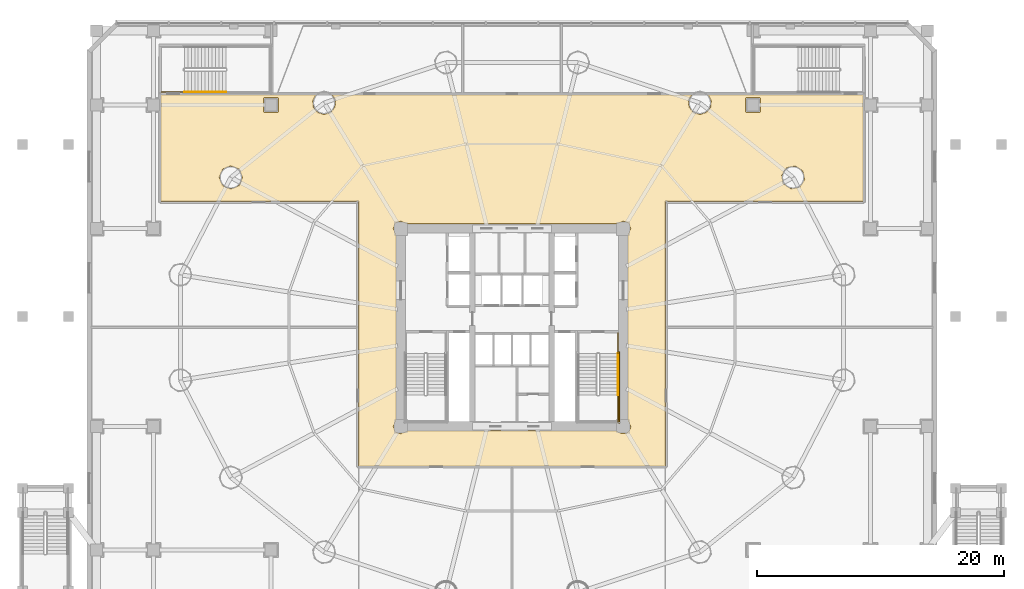
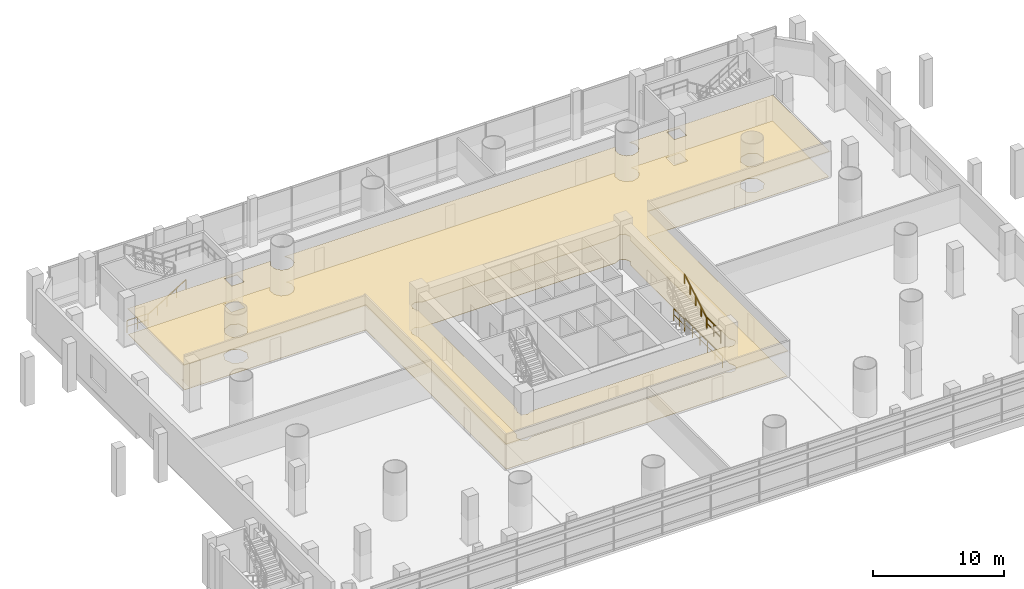
# One storey, part 30 of 36: 6 railings, 2 coverings.
"""IFC4 building model written with IfcOpenShell, lengths in metres."""

from ifc_helpers import new_model, si_unit, direction, frame, origin, origin_2d, place, context, subcontext, project, spatial, polyline, rectangle, outline, extrude, material, layer, layer_set, type_object, element, save


model = new_model("IFC4")

# Units and contexts
model_context = context("Model", 3, precision=1e-05, world=origin(), true_north=direction((-0.2419218956, 0.970295726276)))
body_context = subcontext(model_context, "Body", "Model", "MODEL_VIEW")
ifc_project = project(units=[si_unit("LENGTHUNIT", "METRE"), si_unit("AREAUNIT", "SQUARE_METRE"), si_unit("VOLUMEUNIT", "CUBIC_METRE"), si_unit("PLANEANGLEUNIT", "RADIAN"), si_unit("MASSUNIT", "GRAM", prefix="KILO")], contexts=[model_context])

# Site, building, storey
site_placement = place(None, origin())
site = spatial("IfcSite", under=ifc_project, at=site_placement, CompositionType="ELEMENT")
building_placement = place(site_placement, origin())
building = spatial("IfcBuilding", under=site, at=building_placement, Name="Cobrevalo Terracotta Tower", CompositionType="ELEMENT")
storey_placement = place(building_placement, frame((0.0, 0.0, 14.39990234375)))
storey = spatial("IfcBuildingStorey", under=building, at=storey_placement, Name="L03", CompositionType="ELEMENT", Elevation=14.39990234375)

# Coverings
ifc_material_1 = material(Name="Honed terracotta and granite tile", Category="masonry")
ifc_layer_1 = layer(ifc_material_1, 0.034912109375)
ifc_layer_set_1 = layer_set([ifc_layer_1], Name="Honed terracotta and granite tile")
covering_type_1 = type_object("IfcCoveringType", Name="Honed Terracotta & Granite Interior Flooring 35", PredefinedType="FLOORING", material=ifc_layer_set_1)
covering_1_placement = place(storey_placement, origin())
element("IfcCovering", 1, at=covering_1_placement, inside=storey, type_object=covering_type_1, Name="L03 Podium Gallery Concourse floor finish", PredefinedType="FLOORING", context=body_context, shape_type="SweptSolid", body=[
    extrude(outline(polyline([(9.6201171875, 45.580078125), (22.088134765625, 45.60009765625), (21.863525390625, 45.155029296875), (21.918212890625, 44.60009765625), (22.271728515625, 44.16943359375), (22.80517578125, 44.007568359375), (23.338623046875, 44.16943359375), (23.692138671875, 44.60009765625), (23.746826171875, 45.155029296875), (23.522216796875, 45.60009765625), (52.477783203125, 45.60009765625), (52.253173828125, 45.155029296875), (52.307861328125, 44.60009765625), (52.661376953125, 44.16943359375), (53.19482421875, 44.007568359375), (53.728271484375, 44.16943359375), (54.081787109375, 44.60009765625), (54.136474609375, 45.155029296875), (53.911865234375, 45.60009765625), (66.3798828125, 45.580078125), (66.3798828125, 37.02001953125), (50.3798828125, 37.02001953125), (50.3798828125, 15.6201171875), (25.6201171875, 15.6201171875), (25.6201171875, 37.02001953125), (9.6201171875, 37.02001953125), (9.6201171875, 45.580078125)]), holes=[polyline([(61.274169921875, 38.140869140625), (61.682373046875, 38.751953125), (61.5390625, 39.47265625), (60.927978515625, 39.880859375), (60.207275390625, 39.737548828125), (59.799072265625, 39.12646484375), (59.9423828125, 38.40576171875), (60.553466796875, 37.99755859375), (61.274169921875, 38.140869140625)]), polyline([(56.89990234375, 45.39990234375), (56.89990234375, 44.199951171875), (58.10009765625, 44.199951171875), (58.10009765625, 45.39990234375), (56.89990234375, 45.39990234375)]), polyline([(46.5322265625, 18.405029296875), (46.7626953125, 18.226806640625), (47.2373046875, 18.226806640625), (47.5732421875, 18.5625), (47.620361328125, 18.800048828125), (47.39501953125, 19.267822265625), (47.39501953125, 34.33203125), (47.620361328125, 34.800048828125), (47.438720703125, 35.23876953125), (47.0, 35.42041015625), (46.5322265625, 35.195068359375), (29.4677734375, 35.195068359375), (29.0, 35.42041015625), (28.561279296875, 35.23876953125), (28.379638671875, 34.800048828125), (28.60498046875, 34.33203125), (28.60498046875, 19.267822265625), (28.379638671875, 18.800048828125), (28.561279296875, 18.361328125), (29.0, 18.1796875), (29.4677734375, 18.405029296875), (46.5322265625, 18.405029296875)]), polyline([(17.89990234375, 44.199951171875), (19.10009765625, 44.199951171875), (19.10009765625, 45.39990234375), (17.89990234375, 45.39990234375), (17.89990234375, 44.199951171875)]), polyline([(15.938232421875, 38.26025390625), (16.219482421875, 38.939208984375), (15.938232421875, 39.6181640625), (15.25927734375, 39.8994140625), (14.580322265625, 39.6181640625), (14.29931640625, 38.939208984375), (14.580322265625, 38.26025390625), (15.25927734375, 37.97900390625), (15.938232421875, 38.26025390625)])]), origin(), (0.0, 0.0, 1.0), 0.030029296875),
])
ifc_material_2 = material(Name="Acoustic perforated gypsum ceiling", Category="gypsum")
ifc_layer_2 = layer(ifc_material_2, 0.050048828125)
ifc_layer_set_2 = layer_set([ifc_layer_2], Name="Acoustic perforated gypsum ceiling")
covering_type_2 = type_object("IfcCoveringType", Name="Perforated Acoustic Gypsum Ceiling 50", PredefinedType="CEILING", material=ifc_layer_set_2)
covering_2_placement = place(storey_placement, frame((0.0, 0.0, 2.360107421875)))
element("IfcCovering", 2, at=covering_2_placement, inside=storey, type_object=covering_type_2, Name="L03 Podium Gallery Concourse acoustic ceiling", PredefinedType="CEILING", context=body_context, shape_type="SweptSolid", body=[
    extrude(outline(polyline([(9.574951171875, 45.625), (22.183349609375, 45.64501953125), (21.907958984375, 45.14599609375), (21.9599609375, 44.617431640625), (22.296875, 44.20703125), (22.80517578125, 44.052734375), (23.3134765625, 44.20703125), (23.650390625, 44.617431640625), (23.702392578125, 45.14599609375), (23.427001953125, 45.64501953125), (52.572998046875, 45.64501953125), (52.297607421875, 45.14599609375), (52.349609375, 44.617431640625), (52.6865234375, 44.20703125), (53.19482421875, 44.052734375), (53.703125, 44.20703125), (54.0400390625, 44.617431640625), (54.092041015625, 45.14599609375), (53.816650390625, 45.64501953125), (66.425048828125, 45.625), (66.425048828125, 36.97509765625), (50.425048828125, 36.97509765625), (50.425048828125, 15.574951171875), (25.574951171875, 15.574951171875), (25.574951171875, 36.97509765625), (9.574951171875, 36.97509765625), (9.574951171875, 45.625)]), holes=[polyline([(61.2490234375, 38.178466796875), (61.637939453125, 38.7607421875), (61.50146484375, 39.447509765625), (60.919189453125, 39.83642578125), (60.232421875, 39.699951171875), (59.843505859375, 39.11767578125), (59.97998046875, 38.430908203125), (60.562255859375, 38.0419921875), (61.2490234375, 38.178466796875)]), polyline([(56.945068359375, 45.35498046875), (56.945068359375, 44.2451171875), (58.054931640625, 44.2451171875), (58.054931640625, 45.35498046875), (56.945068359375, 45.35498046875)]), polyline([(46.55615234375, 18.449951171875), (46.780029296875, 18.269287109375), (47.219970703125, 18.269287109375), (47.53076171875, 18.580078125), (47.574462890625, 18.800048828125), (47.35009765625, 19.243896484375), (47.35009765625, 34.356201171875), (47.574462890625, 34.800048828125), (47.40625, 35.206298828125), (47.0, 35.37451171875), (46.55615234375, 35.14990234375), (29.44384765625, 35.14990234375), (29.0, 35.37451171875), (28.59375, 35.206298828125), (28.425537109375, 34.800048828125), (28.64990234375, 34.356201171875), (28.64990234375, 19.243896484375), (28.425537109375, 18.800048828125), (28.59375, 18.393798828125), (29.0, 18.2255859375), (29.44384765625, 18.449951171875), (46.55615234375, 18.449951171875)]), polyline([(17.945068359375, 44.2451171875), (19.054931640625, 44.2451171875), (19.054931640625, 45.35498046875), (17.945068359375, 45.35498046875), (17.945068359375, 44.2451171875)]), polyline([(15.90625, 38.292236328125), (16.174072265625, 38.939208984375), (15.90625, 39.586181640625), (15.25927734375, 39.85400390625), (14.6123046875, 39.586181640625), (14.344482421875, 38.939208984375), (14.6123046875, 38.292236328125), (15.25927734375, 38.0244140625), (15.90625, 38.292236328125)])]), origin(), (0.0, 0.0, 1.0), 0.050048828125),
])

# Railings
ifc_material_3 = material(Name="Brushed stainless steel", Category="steel")
railing_type_1 = type_object("IfcRailingType", Name="Stainless Steel Stair Handrail 900", PredefinedType="HANDRAIL", material=ifc_material_3)
railing_1_placement = place(storey_placement, frame((46.574951171875, 21.340087890625, 2.423095703125)))
element("IfcRailing", 3, at=railing_1_placement, inside=storey, type_object=railing_type_1, Name="L03 ST-2 stair handrail 2", PredefinedType="HANDRAIL", context=body_context, shape_type="SweptSolid", body=[
    extrude(rectangle(XDim=0.048095703125, YDim=0.048095703125, at=origin_2d()), frame((0.0, 0.0, 0.8759765625), z_axis=(0.0, 0.850606129759, 0.525803396734), x_axis=(-1.0, 0.0, 0.0)), (0.0, 0.0, 1.0), 3.949951171875),
    extrude(rectangle(XDim=0.0419921875, YDim=0.0419921875, at=origin_2d()), origin(), (0.0, 0.0, 1.0), 0.851806640625),
    extrude(rectangle(XDim=0.0419921875, YDim=0.0419921875, at=origin_2d()), frame((0.0, 0.83984375, 0.519287109375)), (0.0, 0.0, 1.0), 0.851806640625),
    extrude(rectangle(XDim=0.0419921875, YDim=0.0419921875, at=origin_2d()), frame((0.0, 1.679931640625, 1.03857421875)), (0.0, 0.0, 1.0), 0.851806640625),
    extrude(rectangle(XDim=0.0419921875, YDim=0.0419921875, at=origin_2d()), frame((0.0, 2.52001953125, 1.5576171875)), (0.0, 0.0, 1.0), 0.851806640625),
    extrude(rectangle(XDim=0.0419921875, YDim=0.0419921875, at=origin_2d()), frame((0.0, 3.35986328125, 2.076904296875)), (0.0, 0.0, 1.0), 0.851806640625),
])
railing_2_placement = place(storey_placement, frame((11.5, 45.85009765625, 0.173095703125)))
element("IfcRailing", 4, at=railing_2_placement, inside=storey, type_object=railing_type_1, Name="L03 ST-P1 stair handrail 1", PredefinedType="HANDRAIL", context=body_context, shape_type="SweptSolid", body=[
    extrude(rectangle(XDim=0.048095703125, YDim=0.048095703125, at=origin_2d()), frame((0.0, 0.0, 0.8759765625), z_axis=(0.850623216509, 0.0, 0.525775754039), x_axis=(0.0, 1.0, 0.0)), (0.0, 0.0, 1.0), 3.9501953125),
    extrude(rectangle(XDim=0.0419921875, YDim=0.0419921875, at=origin_2d()), origin(), (0.0, 0.0, 1.0), 0.851806640625),
    extrude(rectangle(XDim=0.0419921875, YDim=0.0419921875, at=origin_2d()), frame((0.840087890625, 0.0, 0.519287109375)), (0.0, 0.0, 1.0), 0.851806640625),
    extrude(rectangle(XDim=0.0419921875, YDim=0.0419921875, at=origin_2d()), frame((1.68017578125, 0.0, 1.03857421875)), (0.0, 0.0, 1.0), 0.851806640625),
    extrude(rectangle(XDim=0.0419921875, YDim=0.0419921875, at=origin_2d()), frame((2.52001953125, 0.0, 1.5576171875)), (0.0, 0.0, 1.0), 0.851806640625),
    extrude(rectangle(XDim=0.0419921875, YDim=0.0419921875, at=origin_2d()), frame((3.360107421875, 0.0, 2.076904296875)), (0.0, 0.0, 1.0), 0.851806640625),
])
ifc_material_4 = material(Name="Painted galvanized steel", Category="steel")
railing_type_2 = type_object("IfcRailingType", Name="Stair Well Guard Balustrade 1150", PredefinedType="GUARDRAIL", material=ifc_material_4)
railing_3_placement = place(storey_placement, frame((46.574951171875, 21.340087890625, 2.25)))
element("IfcRailing", 5, at=railing_3_placement, inside=storey, type_object=railing_type_2, Name="L03 ST-2 stair guard 4", PredefinedType="GUARDRAIL", context=body_context, shape_type="SweptSolid", body=[
    extrude(rectangle(XDim=0.048095703125, YDim=0.048095703125, at=origin_2d()), frame((0.0, 0.0, 1.1259765625), z_axis=(0.0, -1.0, 0.0), x_axis=(1.0, 0.0, 0.0)), (0.0, 0.0, 1.0), 2.1650390625),
    extrude(rectangle(XDim=0.048095703125, YDim=0.048095703125, at=origin_2d()), frame((0.0, 0.0, 0.574951171875), z_axis=(0.0, -1.0, 0.0), x_axis=(1.0, 0.0, 0.0)), (0.0, 0.0, 1.0), 2.1650390625),
    extrude(rectangle(XDim=0.0419921875, YDim=0.0419921875, at=origin_2d()), origin(), (0.0, 0.0, 1.0), 1.101806640625),
    extrude(rectangle(XDim=0.0419921875, YDim=0.0419921875, at=origin_2d()), frame((0.0, -1.08251953125, 0.0)), (0.0, 0.0, 1.0), 1.101806640625),
    extrude(rectangle(XDim=0.0419921875, YDim=0.0419921875, at=origin_2d()), frame((0.0, -2.1650390625, 0.0)), (0.0, 0.0, 1.0), 1.101806640625),
])
railing_4_placement = place(storey_placement, frame((46.574951171875, 26.35009765625, 0.0)))
element("IfcRailing", 6, at=railing_4_placement, inside=storey, type_object=railing_type_2, Name="L03 ST-2 stair guard 9", PredefinedType="GUARDRAIL", context=body_context, shape_type="SweptSolid", body=[
    extrude(rectangle(XDim=0.048095703125, YDim=0.048095703125, at=origin_2d()), frame((0.0, 0.0, 1.1259765625), z_axis=(0.0, -1.0, 0.0), x_axis=(1.0, 0.0, 0.0)), (0.0, 0.0, 1.0), 1.650146484375),
    extrude(rectangle(XDim=0.048095703125, YDim=0.048095703125, at=origin_2d()), frame((0.0, 0.0, 0.574951171875), z_axis=(0.0, -1.0, 0.0), x_axis=(1.0, 0.0, 0.0)), (0.0, 0.0, 1.0), 1.650146484375),
    extrude(rectangle(XDim=0.0419921875, YDim=0.0419921875, at=origin_2d()), origin(), (0.0, 0.0, 1.0), 1.101806640625),
    extrude(rectangle(XDim=0.0419921875, YDim=0.0419921875, at=origin_2d()), frame((0.0, -0.8251953125, 0.0)), (0.0, 0.0, 1.0), 1.101806640625),
    extrude(rectangle(XDim=0.0419921875, YDim=0.0419921875, at=origin_2d()), frame((0.0, -1.650146484375, 0.0)), (0.0, 0.0, 1.0), 1.101806640625),
])
railing_5_placement = place(storey_placement, frame((46.675048828125, 24.800048828125, 0.0)))
element("IfcRailing", 7, at=railing_5_placement, inside=storey, type_object=railing_type_2, Name="L03 ST-2 stair guard 11", PredefinedType="GUARDRAIL", context=body_context, shape_type="SweptSolid", body=[
    extrude(rectangle(XDim=0.048095703125, YDim=0.048095703125, at=origin_2d()), frame((0.0, 0.0, 1.1259765625), z_axis=(0.0, -1.0, 0.0), x_axis=(1.0, 0.0, 0.0)), (0.0, 0.0, 1.0), 5.72509765625),
    extrude(rectangle(XDim=0.048095703125, YDim=0.048095703125, at=origin_2d()), frame((0.0, 0.0, 0.574951171875), z_axis=(0.0, -1.0, 0.0), x_axis=(1.0, 0.0, 0.0)), (0.0, 0.0, 1.0), 5.72509765625),
    extrude(rectangle(XDim=0.0419921875, YDim=0.0419921875, at=origin_2d()), origin(), (0.0, 0.0, 1.0), 1.101806640625),
    extrude(rectangle(XDim=0.0419921875, YDim=0.0419921875, at=origin_2d()), frame((0.0, -1.14501953125, 0.0)), (0.0, 0.0, 1.0), 1.101806640625),
    extrude(rectangle(XDim=0.0419921875, YDim=0.0419921875, at=origin_2d()), frame((0.0, -2.2900390625, 0.0)), (0.0, 0.0, 1.0), 1.101806640625),
    extrude(rectangle(XDim=0.0419921875, YDim=0.0419921875, at=origin_2d()), frame((0.0, -3.43505859375, 0.0)), (0.0, 0.0, 1.0), 1.101806640625),
    extrude(rectangle(XDim=0.0419921875, YDim=0.0419921875, at=origin_2d()), frame((0.0, -4.580078125, 0.0)), (0.0, 0.0, 1.0), 1.101806640625),
    extrude(rectangle(XDim=0.0419921875, YDim=0.0419921875, at=origin_2d()), frame((0.0, -5.72509765625, 0.0)), (0.0, 0.0, 1.0), 1.101806640625),
])
railing_6_placement = place(storey_placement, frame((9.64990234375, 45.85009765625, 0.0)))
element("IfcRailing", 8, at=railing_6_placement, inside=storey, type_object=railing_type_2, Name="L03 ST-P1 stair guard 8", PredefinedType="GUARDRAIL", context=body_context, shape_type="SweptSolid", body=[
    extrude(rectangle(XDim=0.048095703125, YDim=0.048095703125, at=origin_2d()), frame((0.0, 0.0, 1.1259765625), z_axis=(1.0, 0.0, 0.0), x_axis=(0.0, 1.0, 0.0)), (0.0, 0.0, 1.0), 1.85009765625),
    extrude(rectangle(XDim=0.048095703125, YDim=0.048095703125, at=origin_2d()), frame((0.0, 0.0, 0.574951171875), z_axis=(1.0, 0.0, 0.0), x_axis=(0.0, 1.0, 0.0)), (0.0, 0.0, 1.0), 1.85009765625),
    extrude(rectangle(XDim=0.0419921875, YDim=0.0419921875, at=origin_2d()), origin(), (0.0, 0.0, 1.0), 1.101806640625),
    extrude(rectangle(XDim=0.0419921875, YDim=0.0419921875, at=origin_2d()), frame((0.925048828125, 0.0, 0.0)), (0.0, 0.0, 1.0), 1.101806640625),
    extrude(rectangle(XDim=0.0419921875, YDim=0.0419921875, at=origin_2d()), frame((1.85009765625, 0.0, 0.0)), (0.0, 0.0, 1.0), 1.101806640625),
])

save(model, "model.ifc")
